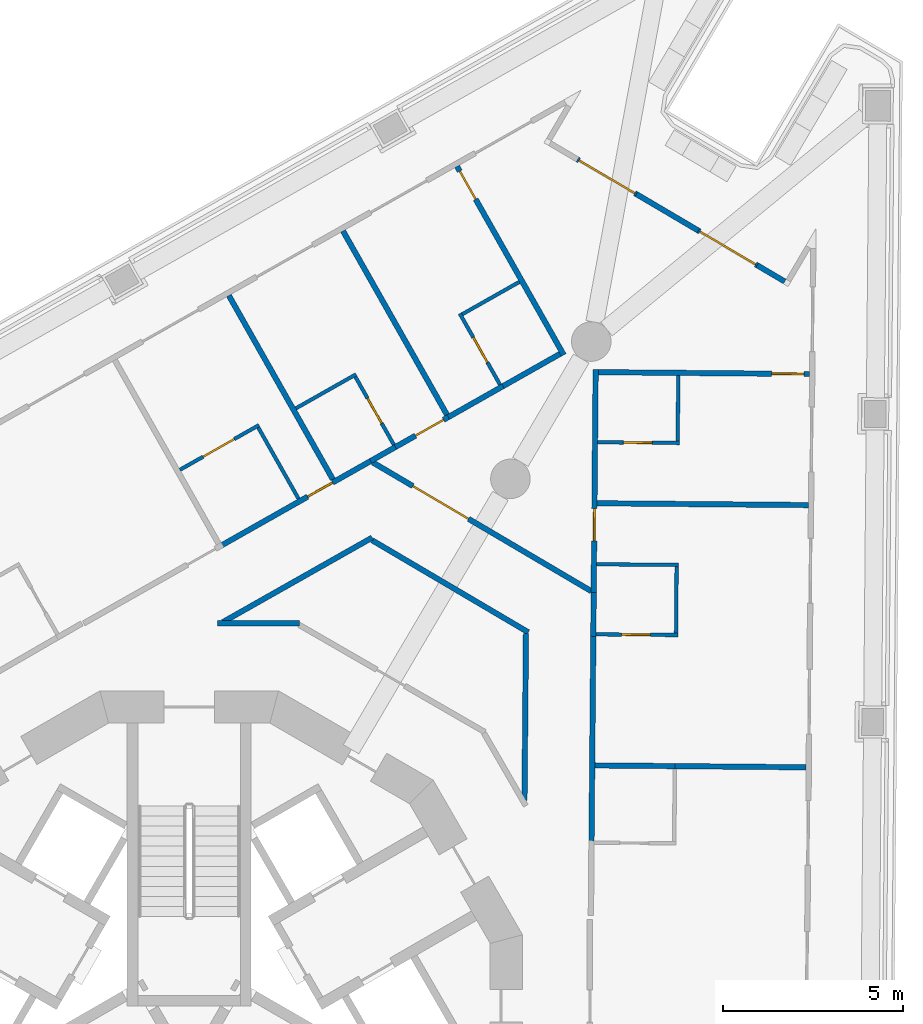
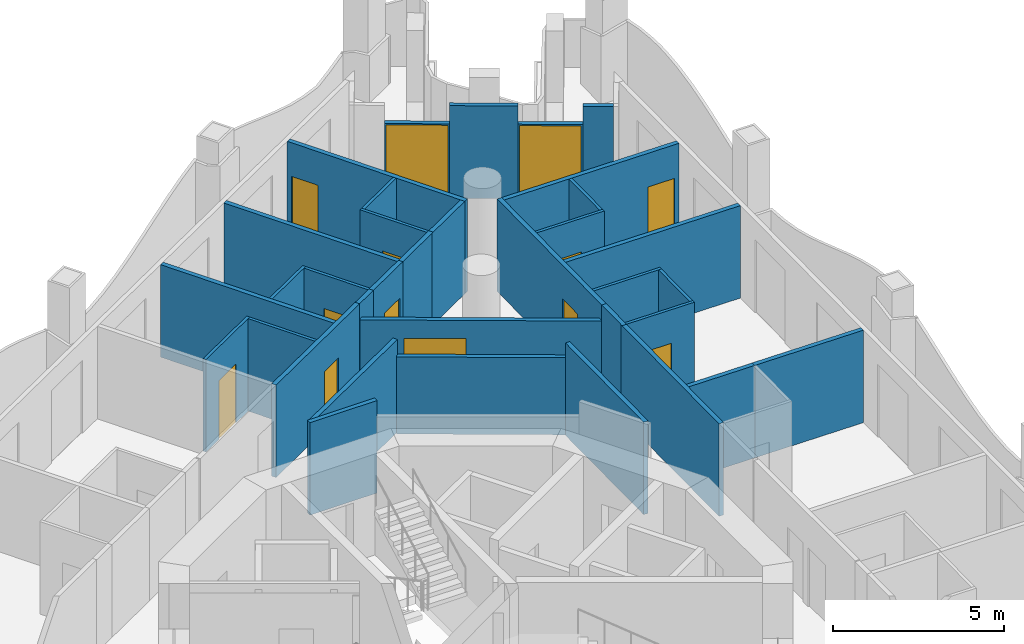
# One storey, part 9 of 17: 35 walls, 13 doors, 13 openings.
"""IFC4 building model written with IfcOpenShell, lengths in metres."""

from ifc_helpers import new_model, si_unit, direction, frame, frame_2d, origin, place, context, subcontext, project, spatial, polyline, rectangle, outline, extrude, material, layer, layer_set, type_object, element, fill, save


model = new_model("IFC4")

# Units and contexts
model_context = context("Model", 3, precision=1e-05, world=origin(), true_north=direction((0.0, 1.0)))
body_context = subcontext(model_context, "Body", "Model", "MODEL_VIEW")
ifc_project = project(units=[si_unit("LENGTHUNIT", "METRE"), si_unit("AREAUNIT", "SQUARE_METRE"), si_unit("VOLUMEUNIT", "CUBIC_METRE"), si_unit("PLANEANGLEUNIT", "RADIAN"), si_unit("MASSUNIT", "GRAM", prefix="KILO")], contexts=[model_context])

# Site, building, storey
site_placement = place(None, origin())
site = spatial("IfcSite", under=ifc_project, at=site_placement, CompositionType="ELEMENT")
building_placement = place(site_placement, origin())
building = spatial("IfcBuilding", under=site, at=building_placement, Name="Trine Commons Tower", CompositionType="ELEMENT")
storey_placement = place(building_placement, frame((0.0, 0.0, 164.699951171875)))
storey = spatial("IfcBuildingStorey", under=building, at=storey_placement, Name="L42", CompositionType="ELEMENT", Elevation=164.699951171875)

# Wall, opening, door
ifc_material_1 = material(Name="Aluminium-framed insulated wall panel", Category="aluminium")
ifc_layer_1 = layer(ifc_material_1, 0.14990234375)
ifc_layer_set_1 = layer_set([ifc_layer_1], Name="Aluminium-framed insulated wall panel")
wall_type_1 = type_object("IfcWallType", Name="Glazed frame wall 150, EI 60", PredefinedType="SOLIDWALL", material=ifc_layer_set_1)
wall_1_placement = place(storey_placement, frame((90.803955078125, 86.55517578125, 0.0), z_axis=(0.0, 0.0, 1.0), x_axis=(0.861603693734, -0.50758159437, 0.0)))
wall_1 = element("IfcWall", 1, at=wall_1_placement, inside=storey, type_object=wall_type_1, Name="Glazed frame wall P2.2", PredefinedType="SOLIDWALL", context=body_context, shape_type="SweptSolid", body=[
    extrude(outline(polyline([(0.0, -0.074951171875), (1.89990234375, -0.074951171875), (1.89990234375, 0.074951171875), (0.0, 0.074951171875), (0.0, -0.074951171875)])), origin(), (0.0, 0.0, 1.0), 2.650146484375),
])
opening_1_placement = place(wall_1_placement, frame((0.050048828125, 0.0, 0.0)))
opening_1 = element("IfcOpeningElement", 2, at=opening_1_placement, cuts=wall_1, Name="Opening BD-5P2-01", PredefinedType="OPENING", context=body_context, shape_type="SweptSolid", body=[
    extrude(rectangle(XDim=1.800048828125, YDim=2.60009765625, at=frame_2d((0.89990234375, 1.300048828125))), frame((0.0, 0.0849609375, 0.0), z_axis=(0.0, -1.0, 0.0), x_axis=(1.0, 0.0, 0.0)), (0.0, 0.0, 1.0), 0.169921875),
])
ifc_material_2 = material(Name="Anodised aluminium frame with double glazing", Category="aluminium")
door_type_1 = type_object("IfcDoorType", Name="Sliding loggia door 1800x2600", OperationType="SLIDING_TO_LEFT", PredefinedType="DOOR", material=ifc_material_2)
door_1_placement = place(opening_1_placement, origin())
door_1 = element("IfcDoor", 3, at=door_1_placement, inside=storey, type_object=door_type_1, Name="Loggia door P2 1", OperationType="SLIDING_TO_LEFT", OverallHeight=2.60009765625, OverallWidth=1.800048828125, PredefinedType="DOOR", context=body_context, shape_type="SweptSolid", body=[
    extrude(rectangle(XDim=1.800048828125, YDim=2.60009765625, at=frame_2d((0.89990234375, 1.300048828125))), frame((0.0, 0.02490234375, 0.0), z_axis=(0.0, -1.0, 0.0), x_axis=(1.0, 0.0, 0.0)), (0.0, 0.0, 1.0), 0.050048828125),
])
fill(opening_1, door_1)

# Wall
wall_2_placement = place(storey_placement, frame((92.44091796875, 85.5908203125, 0.0), z_axis=(0.0, 0.0, 1.0), x_axis=(0.861632831324, -0.507532130988, 0.0)))
element("IfcWall", 4, at=wall_2_placement, inside=storey, type_object=wall_type_1, Name="Glazed frame wall P2.3", PredefinedType="SOLIDWALL", context=body_context, shape_type="SweptSolid", body=[
    extrude(outline(polyline([(0.0, -0.074951171875), (2.0, -0.074951171875), (2.0, 0.074951171875), (0.0, 0.074951171875), (0.0, -0.074951171875)])), origin(), (0.0, 0.0, 1.0), 3.300048828125),
])

# Wall, opening, door
wall_3_placement = place(storey_placement, frame((94.164306640625, 84.57568359375, 0.0), z_axis=(0.0, 0.0, 1.0), x_axis=(0.86165989029, -0.507486190418, 0.0)))
wall_3 = element("IfcWall", 5, at=wall_3_placement, inside=storey, type_object=wall_type_1, Name="Glazed frame wall P2.4", PredefinedType="SOLIDWALL", context=body_context, shape_type="SweptSolid", body=[
    extrude(outline(polyline([(0.0, -0.074951171875), (1.89990234375, -0.074951171875), (1.89990234375, 0.074951171875), (0.0, 0.074951171875), (0.0, -0.074951171875)])), origin(), (0.0, 0.0, 1.0), 2.650146484375),
])
opening_2_placement = place(wall_3_placement, frame((0.050048828125, 0.0, 0.0)))
opening_2 = element("IfcOpeningElement", 6, at=opening_2_placement, cuts=wall_3, Name="Opening BD-5P2-02", PredefinedType="OPENING", context=body_context, shape_type="SweptSolid", body=[
    extrude(rectangle(XDim=1.800048828125, YDim=2.60009765625, at=frame_2d((0.89990234375, 1.300048828125))), frame((0.0, 0.0849609375, 0.0), z_axis=(0.0, -1.0, 0.0), x_axis=(1.0, 0.0, 0.0)), (0.0, 0.0, 1.0), 0.169921875),
])
door_2_placement = place(opening_2_placement, origin())
door_2 = element("IfcDoor", 7, at=door_2_placement, inside=storey, type_object=door_type_1, Name="Loggia door P2 2", OperationType="SLIDING_TO_LEFT", OverallHeight=2.60009765625, OverallWidth=1.800048828125, PredefinedType="DOOR", context=body_context, shape_type="SweptSolid", body=[
    extrude(rectangle(XDim=1.800048828125, YDim=2.60009765625, at=frame_2d((0.89990234375, 1.300048828125))), frame((0.0, 0.02490234375, 0.0), z_axis=(0.0, -1.0, 0.0), x_axis=(1.0, 0.0, 0.0)), (0.0, 0.0, 1.0), 0.050048828125),
])
fill(opening_2, door_2)

# Wall
wall_4_placement = place(storey_placement, frame((95.80126953125, 83.611572265625, 0.0), z_axis=(0.0, 0.0, 1.0), x_axis=(0.861664268073, -0.507478757315, 0.0)))
element("IfcWall", 8, at=wall_4_placement, inside=storey, type_object=wall_type_1, Name="Glazed frame wall P2.5", PredefinedType="SOLIDWALL", context=body_context, shape_type="SweptSolid", body=[
    extrude(outline(polyline([(0.889892578125, 0.074951171875), (0.0, 0.074951171875), (0.0, -0.074951171875), (0.889892578125, -0.074951171875), (0.889892578125, 0.074951171875)])), origin(), (0.0, 0.0, 1.0), 3.300048828125),
])

# Wall, opening, door
ifc_material_3 = material(Name="Gypsum plasterboard on steel stud", Category="steel")
ifc_layer_2 = layer(ifc_material_3, 0.14990234375)
ifc_layer_set_2 = layer_set([ifc_layer_2], Name="Gypsum plasterboard on steel stud")
wall_type_2 = type_object("IfcWallType", Name="Unit and corridor wall 150 mm, EI 60", PredefinedType="PARTITIONING", material=ifc_layer_set_2)
wall_5_placement = place(storey_placement, frame((80.85595703125, 75.79296875, 0.0), z_axis=(0.0, 0.0, 1.0), x_axis=(0.870296246949, 0.492528621043, 0.0)))
wall_5 = element("IfcWall", 9, at=wall_5_placement, inside=storey, type_object=wall_type_2, Name="Partition 067", PredefinedType="PARTITIONING", context=body_context, shape_type="SweptSolid", body=[
    extrude(rectangle(XDim=4.812255859375, YDim=0.14990234375, at=frame_2d((2.40625, 0.0))), origin(), (0.0, 0.0, 1.0), 3.300048828125),
])
opening_3_placement = place(wall_5_placement, frame((2.800537109375, 0.0, 0.0)))
opening_3 = element("IfcOpeningElement", 10, at=opening_3_placement, cuts=wall_5, Name="Opening D-5A10", PredefinedType="OPENING", context=body_context, shape_type="SweptSolid", body=[
    extrude(rectangle(XDim=0.800048828125, YDim=2.10009765625, at=frame_2d((0.39990234375, 1.050048828125))), frame((0.0, 0.0849609375, 0.0), z_axis=(0.0, -1.0, 0.0), x_axis=(1.0, 0.0, 0.0)), (0.0, 0.0, 1.0), 0.169921875),
])
ifc_material_4 = material(Name="Timber fire door set", Category="wood")
door_type_2 = type_object("IfcDoorType", Name="Bedroom door 800 x 2100, FD30S", OperationType="NOTDEFINED", PredefinedType="DOOR", material=ifc_material_4)
door_3_placement = place(opening_3_placement, origin())
door_3 = element("IfcDoor", 11, at=door_3_placement, inside=storey, type_object=door_type_2, Name="Door D-5A10", OperationType="SINGLE_SWING_RIGHT", OverallHeight=2.10009765625, OverallWidth=0.800048828125, PredefinedType="DOOR", context=body_context, shape_type="SweptSolid", body=[
    extrude(rectangle(XDim=0.800048828125, YDim=2.10009765625, at=frame_2d((0.39990234375, 1.050048828125))), frame((0.0, 0.02490234375, 0.0), z_axis=(0.0, -1.0, 0.0), x_axis=(1.0, 0.0, 0.0)), (0.0, 0.0, 1.0), 0.050048828125),
])
fill(opening_3, door_3)

# Walls
wall_6_placement = place(storey_placement, frame((80.79296875, 73.64794921875, 0.0), z_axis=(0.0, 0.0, 1.0), x_axis=(1.0, 0.0, 0.0)))
element("IfcWall", 12, at=wall_6_placement, inside=storey, type_object=wall_type_2, Name="Partition 068", PredefinedType="PARTITIONING", context=body_context, shape_type="SweptSolid", body=[
    extrude(rectangle(XDim=2.26904296875, YDim=0.14990234375, at=frame_2d((1.134521484375, 0.0))), origin(), (0.0, 0.0, 1.0), 3.300048828125),
])
wall_7_placement = place(storey_placement, frame((80.937255859375, 73.684814453125, 0.0), z_axis=(0.0, 0.0, 1.0), x_axis=(0.870319748897, 0.492487090876, 0.0)))
element("IfcWall", 13, at=wall_7_placement, inside=storey, type_object=wall_type_2, Name="Partition 069", PredefinedType="PARTITIONING", context=body_context, shape_type="SweptSolid", body=[
    extrude(rectangle(XDim=4.77197265625, YDim=0.14990234375, at=frame_2d((2.385986328125, 0.0))), origin(), (0.0, 0.0, 1.0), 3.300048828125),
])
wall_8_placement = place(storey_placement, frame((81.103759765625, 82.769287109375, 0.0), z_axis=(0.0, 0.0, 1.0), x_axis=(0.492361245758, -0.870390948756, 0.0)))
element("IfcWall", 14, at=wall_8_placement, inside=storey, type_object=wall_type_2, Name="Partition 072", PredefinedType="PARTITIONING", context=body_context, shape_type="SweptSolid", body=[
    extrude(rectangle(XDim=5.87451171875, YDim=0.14990234375, at=frame_2d((2.937255859375, 0.0))), origin(), (0.0, 0.0, 1.0), 3.300048828125),
])
wall_9_placement = place(storey_placement, frame((84.27880859375, 84.565185546875, 0.0), z_axis=(0.0, 0.0, 1.0), x_axis=(0.4923790567, -0.870380873252, 0.0)))
element("IfcWall", 15, at=wall_9_placement, inside=storey, type_object=wall_type_2, Name="Partition 082", PredefinedType="PARTITIONING", context=body_context, shape_type="SweptSolid", body=[
    extrude(rectangle(XDim=5.874267578125, YDim=0.14990234375, at=frame_2d((2.93701171875, 0.0))), origin(), (0.0, 0.0, 1.0), 3.300048828125),
])
wall_10_placement = place(storey_placement, frame((85.089599609375, 75.9599609375, 0.0), z_axis=(0.0, 0.0, 1.0), x_axis=(0.861605399292, -0.507578699229, 0.0)))
element("IfcWall", 16, at=wall_10_placement, inside=storey, type_object=wall_type_2, Name="Partition 087", PredefinedType="PARTITIONING", context=body_context, shape_type="SweptSolid", body=[
    extrude(rectangle(XDim=5.041748046875, YDim=0.14990234375, at=frame_2d((2.52099609375, 0.0))), origin(), (0.0, 0.0, 1.0), 2.75),
])
wall_11_placement = place(storey_placement, frame((85.0439453125, 78.1630859375, 0.0), z_axis=(0.0, 0.0, 1.0), x_axis=(0.870602999544, 0.491986196133, 0.0)))
element("IfcWall", 17, at=wall_11_placement, inside=storey, type_object=wall_type_2, Name="Partition 088", PredefinedType="PARTITIONING", context=body_context, shape_type="SweptSolid", body=[
    extrude(rectangle(XDim=0.79248046875, YDim=0.14990234375, at=frame_2d((0.396240234375, 0.0))), origin(), (0.0, 0.0, 1.0), 3.300048828125),
])

# Wall, opening, door
wall_12_placement = place(storey_placement, frame((85.108642578125, 78.125, 0.0), z_axis=(0.0, 0.0, 1.0), x_axis=(0.861598717736, -0.507590040875, 0.0)))
wall_12 = element("IfcWall", 18, at=wall_12_placement, inside=storey, type_object=wall_type_2, Name="Partition 089", PredefinedType="PARTITIONING", context=body_context, shape_type="SweptSolid", body=[
    extrude(rectangle(XDim=7.056396484375, YDim=0.14990234375, at=frame_2d((3.5283203125, 0.0))), origin(), (0.0, 0.0, 1.0), 2.75),
])
opening_4_placement = place(wall_12_placement, frame((1.29296875, 0.0, 0.0)))
opening_4 = element("IfcOpeningElement", 19, at=opening_4_placement, cuts=wall_12, Name="Opening D-5A01", PredefinedType="OPENING", context=body_context, shape_type="SweptSolid", body=[
    extrude(rectangle(XDim=1.800048828125, YDim=2.10009765625, at=frame_2d((0.89990234375, 1.050048828125))), frame((0.0, 0.0849609375, 0.0), z_axis=(0.0, -1.0, 0.0), x_axis=(1.0, 0.0, 0.0)), (0.0, 0.0, 1.0), 0.169921875),
])
door_type_3 = type_object("IfcDoorType", Name="Cluster entrance door 1800 x 2100, double leaf, FD30S", OperationType="DOUBLE_DOOR_DOUBLE_SWING", PredefinedType="DOOR", material=ifc_material_4)
door_4_placement = place(opening_4_placement, origin())
door_4 = element("IfcDoor", 20, at=door_4_placement, inside=storey, type_object=door_type_3, Name="Door D-5A01", OperationType="DOUBLE_DOOR_DOUBLE_SWING", OverallHeight=2.10009765625, OverallWidth=1.800048828125, PredefinedType="DOOR", context=body_context, shape_type="SweptSolid", body=[
    extrude(rectangle(XDim=1.800048828125, YDim=2.10009765625, at=frame_2d((0.89990234375, 1.050048828125))), frame((0.0, 0.02490234375, 0.0), z_axis=(0.0, -1.0, 0.0), x_axis=(1.0, 0.0, 0.0)), (0.0, 0.0, 1.0), 0.050048828125),
])
fill(opening_4, door_4)

wall_13_placement = place(storey_placement, frame((85.72802734375, 78.550048828125, 0.0), z_axis=(0.0, 0.0, 1.0), x_axis=(0.870461194111, 0.492237046093, 0.0)))
wall_13 = element("IfcWall", 21, at=wall_13_placement, inside=storey, type_object=wall_type_2, Name="Partition 090", PredefinedType="PARTITIONING", context=body_context, shape_type="SweptSolid", body=[
    extrude(rectangle(XDim=1.7001953125, YDim=0.14990234375, at=frame_2d((0.85009765625, 0.0))), origin(), (0.0, 0.0, 1.0), 3.300048828125),
])
opening_5_placement = place(wall_13_placement, frame((0.650146484375, 0.0, 0.0)))
opening_5 = element("IfcOpeningElement", 22, at=opening_5_placement, cuts=wall_13, Name="Opening D-5A11", PredefinedType="OPENING", context=body_context, shape_type="SweptSolid", body=[
    extrude(rectangle(XDim=0.89990234375, YDim=2.10009765625, at=frame_2d((0.449951171875, 1.050048828125))), frame((0.0, 0.0849609375, 0.0), z_axis=(0.0, -1.0, 0.0), x_axis=(1.0, 0.0, 0.0)), (0.0, 0.0, 1.0), 0.169921875),
])
door_type_4 = type_object("IfcDoorType", Name="Bedroom door 900 x 2100, FD30S", OperationType="NOTDEFINED", PredefinedType="DOOR", material=ifc_material_4)
door_5_placement = place(opening_5_placement, origin())
door_5 = element("IfcDoor", 23, at=door_5_placement, inside=storey, type_object=door_type_4, Name="Door D-5A11", OperationType="SINGLE_SWING_RIGHT", OverallHeight=2.10009765625, OverallWidth=0.89990234375, PredefinedType="DOOR", context=body_context, shape_type="SweptSolid", body=[
    extrude(rectangle(XDim=0.89990234375, YDim=2.10009765625, at=frame_2d((0.449951171875, 1.050048828125))), frame((0.0, 0.02490234375, 0.0), z_axis=(0.0, -1.0, 0.0), x_axis=(1.0, 0.0, 0.0)), (0.0, 0.0, 1.0), 0.050048828125),
])
fill(opening_5, door_5)

# Wall
wall_14_placement = place(storey_placement, frame((87.2080078125, 79.386962890625, 0.0), z_axis=(0.0, 0.0, 1.0), x_axis=(0.87020157879, 0.492695861837, 0.0)))
element("IfcWall", 24, at=wall_14_placement, inside=storey, type_object=wall_type_2, Name="Partition 095", PredefinedType="PARTITIONING", context=body_context, shape_type="SweptSolid", body=[
    extrude(rectangle(XDim=1.750732421875, YDim=0.14990234375, at=frame_2d((0.87548828125, 0.0))), origin(), (0.0, 0.0, 1.0), 3.300048828125),
])

# Wall, opening, door
wall_15_placement = place(storey_placement, frame((87.45263671875, 86.361083984375, 0.0), z_axis=(0.0, 0.0, 1.0), x_axis=(0.492389730591, -0.870374834889, 0.0)))
wall_15 = element("IfcWall", 25, at=wall_15_placement, inside=storey, type_object=wall_type_2, Name="Partition 096", PredefinedType="PARTITIONING", context=body_context, shape_type="SweptSolid", body=[
    extrude(rectangle(XDim=6.0244140625, YDim=0.14990234375, at=frame_2d((3.01220703125, 0.0))), origin(), (0.0, 0.0, 1.0), 3.300048828125),
])
opening_6_placement = place(wall_15_placement, frame((0.14990234375, 0.0, 0.0)))
opening_6 = element("IfcOpeningElement", 26, at=opening_6_placement, cuts=wall_15, Name="Opening D-5A12", PredefinedType="OPENING", context=body_context, shape_type="SweptSolid", body=[
    extrude(rectangle(XDim=0.89990234375, YDim=2.10009765625, at=frame_2d((0.449951171875, 1.050048828125))), frame((0.0, 0.0849609375, 0.0), z_axis=(0.0, -1.0, 0.0), x_axis=(1.0, 0.0, 0.0)), (0.0, 0.0, 1.0), 0.169921875),
])
door_6_placement = place(opening_6_placement, frame((0.89990234375, 0.0, 0.0), z_axis=(0.0, 0.0, 1.0), x_axis=(-1.0, 0.0, 0.0)))
door_6 = element("IfcDoor", 27, at=door_6_placement, inside=storey, type_object=door_type_4, Name="Door D-5A12", OperationType="SINGLE_SWING_RIGHT", OverallHeight=2.10009765625, OverallWidth=0.89990234375, PredefinedType="DOOR", context=body_context, shape_type="SweptSolid", body=[
    extrude(rectangle(XDim=0.89990234375, YDim=2.10009765625, at=frame_2d((0.449951171875, 1.050048828125))), frame((0.0, 0.02490234375, 0.0), z_axis=(0.0, -1.0, 0.0), x_axis=(1.0, 0.0, 0.0)), (0.0, 0.0, 1.0), 0.050048828125),
])
fill(opening_6, door_6)

# Walls
wall_16_placement = place(storey_placement, frame((88.681884765625, 80.220947265625, 0.0), z_axis=(0.0, 0.0, 1.0), x_axis=(0.870323079534, 0.492481204951, 0.0)))
element("IfcWall", 28, at=wall_16_placement, inside=storey, type_object=wall_type_2, Name="Partition 103", PredefinedType="PARTITIONING", context=body_context, shape_type="SweptSolid", body=[
    extrude(rectangle(XDim=1.87841796875, YDim=0.14990234375, at=frame_2d((0.939208984375, 0.0))), origin(), (0.0, 0.0, 1.0), 3.300048828125),
])
wall_17_placement = place(storey_placement, frame((89.32763671875, 68.716064453125, 0.0), z_axis=(0.0, 0.0, 1.0), x_axis=(0.008771592358, 0.999961528844, 0.0)))
element("IfcWall", 29, at=wall_17_placement, inside=storey, type_object=wall_type_2, Name="Partition 107", PredefinedType="PARTITIONING", context=body_context, shape_type="SweptSolid", body=[
    extrude(rectangle(XDim=4.648193359375, YDim=0.14990234375, at=frame_2d((2.32421875, 0.0))), origin(), (0.0, 0.0, 1.0), 3.300048828125),
])
wall_18_placement = place(storey_placement, frame((91.19189453125, 67.54296875, 0.0), z_axis=(0.0, 0.0, 1.0), x_axis=(0.008789667593, 0.999961370126, 0.0)))
element("IfcWall", 30, at=wall_18_placement, inside=storey, type_object=wall_type_2, Name="Partition 123", PredefinedType="PARTITIONING", context=body_context, shape_type="SweptSolid", body=[
    extrude(rectangle(XDim=5.80517578125, YDim=0.14990234375, at=frame_2d((2.902587890625, 0.0))), origin(), (0.0, 0.0, 1.0), 3.300048828125),
])
wall_19_placement = place(storey_placement, frame((91.285888671875, 69.6962890625, 0.0), z_axis=(0.0, 0.0, 1.0), x_axis=(0.999962566689, -0.008652469087, 0.0)))
element("IfcWall", 31, at=wall_19_placement, inside=storey, type_object=wall_type_2, Name="Partition 125", PredefinedType="PARTITIONING", context=body_context, shape_type="SweptSolid", body=[
    extrude(rectangle(XDim=2.22900390625, YDim=0.14990234375, at=frame_2d((1.114501953125, 0.0))), origin(), (0.0, 0.0, 1.0), 3.300048828125),
])
wall_20_placement = place(storey_placement, frame((91.24267578125, 73.2900390625, 0.0), z_axis=(0.0, 0.0, 1.0), x_axis=(0.008440213825, 0.999964380761, 0.0)))
element("IfcWall", 32, at=wall_20_placement, inside=storey, type_object=wall_type_2, Name="Partition 126", PredefinedType="PARTITIONING", context=body_context, shape_type="SweptSolid", body=[
    extrude(rectangle(XDim=1.21484375, YDim=0.14990234375, at=frame_2d((0.607421875, 0.0))), origin(), (0.0, 0.0, 1.0), 3.300048828125),
])

# Wall, opening, door
wall_21_placement = place(storey_placement, frame((91.2529296875, 74.5048828125, 0.0), z_axis=(0.0, 0.0, 1.0), x_axis=(0.008808844939, 0.999961201373, 0.0)))
wall_21 = element("IfcWall", 33, at=wall_21_placement, inside=storey, type_object=wall_type_2, Name="Partition 128", PredefinedType="PARTITIONING", context=body_context, shape_type="SweptSolid", body=[
    extrude(rectangle(XDim=6.208251953125, YDim=0.14990234375, at=frame_2d((3.10400390625, 0.0))), origin(), (0.0, 0.0, 1.0), 3.300048828125),
])
opening_7_placement = place(wall_21_placement, frame((1.43603515625, 0.0, 0.0)))
opening_7 = element("IfcOpeningElement", 34, at=opening_7_placement, cuts=wall_21, Name="Opening D-5A14", PredefinedType="OPENING", context=body_context, shape_type="SweptSolid", body=[
    extrude(rectangle(XDim=0.89990234375, YDim=2.10009765625, at=frame_2d((0.449951171875, 1.050048828125))), frame((0.0, 0.0849609375, 0.0), z_axis=(0.0, -1.0, 0.0), x_axis=(1.0, 0.0, 0.0)), (0.0, 0.0, 1.0), 0.169921875),
])
door_7_placement = place(opening_7_placement, frame((0.89990234375, 0.0, 0.0), z_axis=(0.0, 0.0, 1.0), x_axis=(-1.0, 0.0, 0.0)))
door_7 = element("IfcDoor", 35, at=door_7_placement, inside=storey, type_object=door_type_4, Name="Door D-5A14", OperationType="SINGLE_SWING_RIGHT", OverallHeight=2.10009765625, OverallWidth=0.89990234375, PredefinedType="DOOR", context=body_context, shape_type="SweptSolid", body=[
    extrude(rectangle(XDim=0.89990234375, YDim=2.10009765625, at=frame_2d((0.449951171875, 1.050048828125))), frame((0.0, 0.02490234375, 0.0), z_axis=(0.0, -1.0, 0.0), x_axis=(1.0, 0.0, 0.0)), (0.0, 0.0, 1.0), 0.050048828125),
])
fill(opening_7, door_7)

# Wall
wall_22_placement = place(storey_placement, frame((91.35009765625, 76.990234375, 0.0), z_axis=(0.0, 0.0, 1.0), x_axis=(0.999962273479, -0.008686289076, 0.0)))
element("IfcWall", 36, at=wall_22_placement, inside=storey, type_object=wall_type_2, Name="Partition 130", PredefinedType="PARTITIONING", context=body_context, shape_type="SweptSolid", body=[
    extrude(rectangle(XDim=5.874267578125, YDim=0.14990234375, at=frame_2d((2.93701171875, 0.0))), origin(), (0.0, 0.0, 1.0), 3.300048828125),
])

# Wall, opening, door
wall_23_placement = place(storey_placement, frame((91.382080078125, 80.63720703125, 0.0), z_axis=(0.0, 0.0, 1.0), x_axis=(0.999962273479, -0.008686289076, 0.0)))
wall_23 = element("IfcWall", 37, at=wall_23_placement, inside=storey, type_object=wall_type_2, Name="Partition 132", PredefinedType="PARTITIONING", context=body_context, shape_type="SweptSolid", body=[
    extrude(rectangle(XDim=5.874267578125, YDim=0.14990234375, at=frame_2d((2.93701171875, 0.0))), origin(), (0.0, 0.0, 1.0), 3.300048828125),
])
opening_8_placement = place(wall_23_placement, frame((4.82421875, 0.0, 0.0)))
opening_8 = element("IfcOpeningElement", 38, at=opening_8_placement, cuts=wall_23, Name="Opening D-5A13", PredefinedType="OPENING", context=body_context, shape_type="SweptSolid", body=[
    extrude(rectangle(XDim=0.89990234375, YDim=2.10009765625, at=frame_2d((0.449951171875, 1.050048828125))), frame((0.0, 0.0849609375, 0.0), z_axis=(0.0, -1.0, 0.0), x_axis=(1.0, 0.0, 0.0)), (0.0, 0.0, 1.0), 0.169921875),
])
door_8_placement = place(opening_8_placement, frame((0.89990234375, 0.0, 0.0), z_axis=(0.0, 0.0, 1.0), x_axis=(-1.0, 0.0, 0.0)))
door_8 = element("IfcDoor", 39, at=door_8_placement, inside=storey, type_object=door_type_4, Name="Door D-5A13", OperationType="SINGLE_SWING_LEFT", OverallHeight=2.10009765625, OverallWidth=0.89990234375, PredefinedType="DOOR", context=body_context, shape_type="SweptSolid", body=[
    extrude(rectangle(XDim=0.89990234375, YDim=2.10009765625, at=frame_2d((0.449951171875, 1.050048828125))), frame((0.0, 0.02490234375, 0.0), z_axis=(0.0, -1.0, 0.0), x_axis=(1.0, 0.0, 0.0)), (0.0, 0.0, 1.0), 0.050048828125),
])
fill(opening_8, door_8)

# Wall
wall_24_placement = place(storey_placement, frame((93.4609375, 69.677490234375, 0.0), z_axis=(0.0, 0.0, 1.0), x_axis=(0.999959736668, -0.008973574674, 0.0)))
element("IfcWall", 40, at=wall_24_placement, inside=storey, type_object=wall_type_2, Name="Partition 136", PredefinedType="PARTITIONING", context=body_context, shape_type="SweptSolid", body=[
    extrude(rectangle(XDim=3.7001953125, YDim=0.14990234375, at=frame_2d((1.85009765625, 0.0))), origin(), (0.0, 0.0, 1.0), 3.300048828125),
])

# Wall, opening, door
ifc_layer_3 = layer(ifc_material_3, 0.10009765625)
ifc_layer_set_3 = layer_set([ifc_layer_3], Name="Gypsum plasterboard on steel stud")
wall_type_3 = type_object("IfcWallType", Name="Unit partition 100 mm, no rating", PredefinedType="PARTITIONING", material=ifc_layer_set_3)
wall_25_placement = place(storey_placement, frame((79.7421875, 77.9208984375, 0.0), z_axis=(0.0, 0.0, 1.0), x_axis=(0.870364731179, 0.49240759003, 0.0)))
wall_25 = element("IfcWall", 41, at=wall_25_placement, inside=storey, type_object=wall_type_3, Name="Partition 063", PredefinedType="PARTITIONING", context=body_context, shape_type="SweptSolid", body=[
    extrude(rectangle(XDim=2.525634765625, YDim=0.10009765625, at=frame_2d((1.2626953125, 0.0))), origin(), (0.0, 0.0, 1.0), 3.300048828125),
])
opening_9_placement = place(wall_25_placement, frame((0.73779296875, 0.0, 0.0)))
opening_9 = element("IfcOpeningElement", 42, at=opening_9_placement, cuts=wall_25, Name="Opening D-5A35", PredefinedType="OPENING", context=body_context, shape_type="SweptSolid", body=[
    extrude(rectangle(XDim=1.0, YDim=2.10009765625, at=frame_2d((0.5, 1.050048828125))), frame((0.0, 0.06005859375, 0.0), z_axis=(0.0, -1.0, 0.0), x_axis=(1.0, 0.0, 0.0)), (0.0, 0.0, 1.0), 0.1201171875),
])
ifc_material_5 = material(Name="Painted timber", Category="wood")
door_type_5 = type_object("IfcDoorType", Name="Internal door 1000 x 2100, NOT RATED", OperationType="NOTDEFINED", PredefinedType="DOOR", material=ifc_material_5)
door_9_placement = place(opening_9_placement, origin())
door_9 = element("IfcDoor", 43, at=door_9_placement, inside=storey, type_object=door_type_5, Name="Door D-5A35", OperationType="SINGLE_SWING_LEFT", OverallHeight=2.10009765625, OverallWidth=1.0, PredefinedType="DOOR", context=body_context, shape_type="SweptSolid", body=[
    extrude(rectangle(XDim=1.0, YDim=2.10009765625, at=frame_2d((0.5, 1.050048828125))), frame((0.0, 0.02490234375, 0.0), z_axis=(0.0, -1.0, 0.0), x_axis=(1.0, 0.0, 0.0)), (0.0, 0.0, 1.0), 0.050048828125),
])
fill(opening_9, door_9)

# Walls
wall_26_placement = place(storey_placement, frame((81.921630859375, 79.096435546875, 0.0), z_axis=(0.0, 0.0, 1.0), x_axis=(0.492424941649, -0.870354914298, 0.0)))
element("IfcWall", 44, at=wall_26_placement, inside=storey, type_object=wall_type_3, Name="Partition 073", PredefinedType="PARTITIONING", context=body_context, shape_type="SweptSolid", body=[
    extrude(rectangle(XDim=2.275146484375, YDim=0.10009765625, at=frame_2d((1.1376953125, 0.0))), origin(), (0.0, 0.0, 1.0), 3.300048828125),
])
wall_27_placement = place(storey_placement, frame((82.96630859375, 79.6298828125, 0.0), z_axis=(0.0, 0.0, 1.0), x_axis=(0.870373787042, 0.492391582818, 0.0)))
element("IfcWall", 45, at=wall_27_placement, inside=storey, type_object=wall_type_3, Name="Partition 077", PredefinedType="PARTITIONING", context=body_context, shape_type="SweptSolid", body=[
    extrude(rectangle(XDim=1.9248046875, YDim=0.10009765625, at=frame_2d((0.96240234375, 0.0))), origin(), (0.0, 0.0, 1.0), 3.300048828125),
])

# Wall, opening, door
wall_28_placement = place(storey_placement, frame((84.62255859375, 80.509521484375, 0.0), z_axis=(0.0, 0.0, 1.0), x_axis=(0.492545299704, -0.870286807748, 0.0)))
wall_28 = element("IfcWall", 46, at=wall_28_placement, inside=storey, type_object=wall_type_3, Name="Partition 084", PredefinedType="PARTITIONING", context=body_context, shape_type="SweptSolid", body=[
    extrude(rectangle(XDim=2.175537109375, YDim=0.10009765625, at=frame_2d((1.087890625, 0.0))), origin(), (0.0, 0.0, 1.0), 3.300048828125),
])
opening_10_placement = place(wall_28_placement, frame((0.6875, 0.0, 0.0)))
opening_10 = element("IfcOpeningElement", 47, at=opening_10_placement, cuts=wall_28, Name="Opening D-5A36", PredefinedType="OPENING", context=body_context, shape_type="SweptSolid", body=[
    extrude(rectangle(XDim=0.800048828125, YDim=2.10009765625, at=frame_2d((0.39990234375, 1.050048828125))), frame((0.0, 0.06005859375, 0.0), z_axis=(0.0, -1.0, 0.0), x_axis=(1.0, 0.0, 0.0)), (0.0, 0.0, 1.0), 0.1201171875),
])
door_type_6 = type_object("IfcDoorType", Name="Internal door 800 x 2100, NOT RATED", OperationType="NOTDEFINED", PredefinedType="DOOR", material=ifc_material_5)
door_10_placement = place(opening_10_placement, origin())
door_10 = element("IfcDoor", 48, at=door_10_placement, inside=storey, type_object=door_type_6, Name="Door D-5A36", OperationType="SINGLE_SWING_LEFT", OverallHeight=2.10009765625, OverallWidth=0.800048828125, PredefinedType="DOOR", context=body_context, shape_type="SweptSolid", body=[
    extrude(rectangle(XDim=0.800048828125, YDim=2.10009765625, at=frame_2d((0.39990234375, 1.050048828125))), frame((0.0, 0.02490234375, 0.0), z_axis=(0.0, -1.0, 0.0), x_axis=(1.0, 0.0, 0.0)), (0.0, 0.0, 1.0), 0.050048828125),
])
fill(opening_10, door_10)

wall_29_placement = place(storey_placement, frame((87.52734375, 82.267578125, 0.0), z_axis=(0.0, 0.0, 1.0), x_axis=(0.492690247552, -0.870204757495, 0.0)))
wall_29 = element("IfcWall", 49, at=wall_29_placement, inside=storey, type_object=wall_type_3, Name="Partition 097", PredefinedType="PARTITIONING", context=body_context, shape_type="SweptSolid", body=[
    extrude(rectangle(XDim=2.2744140625, YDim=0.10009765625, at=frame_2d((1.13720703125, 0.0))), origin(), (0.0, 0.0, 1.0), 3.300048828125),
])
opening_11_placement = place(wall_29_placement, frame((0.76220703125, 0.0, 0.0)))
opening_11 = element("IfcOpeningElement", 50, at=opening_11_placement, cuts=wall_29, Name="Opening D-5A37", PredefinedType="OPENING", context=body_context, shape_type="SweptSolid", body=[
    extrude(rectangle(XDim=0.800048828125, YDim=2.10009765625, at=frame_2d((0.39990234375, 1.050048828125))), frame((0.0, 0.06005859375, 0.0), z_axis=(0.0, -1.0, 0.0), x_axis=(1.0, 0.0, 0.0)), (0.0, 0.0, 1.0), 0.1201171875),
])
door_11_placement = place(opening_11_placement, frame((0.800048828125, 0.0, 0.0), z_axis=(0.0, 0.0, 1.0), x_axis=(-1.0, 0.0, 0.0)))
door_11 = element("IfcDoor", 51, at=door_11_placement, inside=storey, type_object=door_type_6, Name="Door D-5A37", OperationType="SINGLE_SWING_LEFT", OverallHeight=2.10009765625, OverallWidth=0.800048828125, PredefinedType="DOOR", context=body_context, shape_type="SweptSolid", body=[
    extrude(rectangle(XDim=0.800048828125, YDim=2.10009765625, at=frame_2d((0.39990234375, 1.050048828125))), frame((0.0, 0.02490234375, 0.0), z_axis=(0.0, -1.0, 0.0), x_axis=(1.0, 0.0, 0.0)), (0.0, 0.0, 1.0), 0.050048828125),
])
fill(opening_11, door_11)

# Wall
wall_30_placement = place(storey_placement, frame((87.595458984375, 82.24853515625, 0.0), z_axis=(0.0, 0.0, 1.0), x_axis=(0.870251448743, 0.492607770909, 0.0)))
element("IfcWall", 52, at=wall_30_placement, inside=storey, type_object=wall_type_3, Name="Partition 098", PredefinedType="PARTITIONING", context=body_context, shape_type="SweptSolid", body=[
    extrude(rectangle(XDim=1.826416015625, YDim=0.10009765625, at=frame_2d((0.9130859375, 0.0))), origin(), (0.0, 0.0, 1.0), 3.300048828125),
])

# Wall, opening, door
wall_31_placement = place(storey_placement, frame((91.318115234375, 73.34326171875, 0.0), z_axis=(0.0, 0.0, 1.0), x_axis=(0.999962219299, -0.008692524121, 0.0)))
wall_31 = element("IfcWall", 53, at=wall_31_placement, inside=storey, type_object=wall_type_3, Name="Partition 127", PredefinedType="PARTITIONING", context=body_context, shape_type="SweptSolid", body=[
    extrude(rectangle(XDim=2.27490234375, YDim=0.10009765625, at=frame_2d((1.137451171875, 0.0))), origin(), (0.0, 0.0, 1.0), 3.300048828125),
])
opening_12_placement = place(wall_31_placement, frame((0.71240234375, 0.0, 0.0)))
opening_12 = element("IfcOpeningElement", 54, at=opening_12_placement, cuts=wall_31, Name="Opening D-5A39", PredefinedType="OPENING", context=body_context, shape_type="SweptSolid", body=[
    extrude(rectangle(XDim=0.800048828125, YDim=2.10009765625, at=frame_2d((0.39990234375, 1.050048828125))), frame((0.0, 0.06005859375, 0.0), z_axis=(0.0, -1.0, 0.0), x_axis=(1.0, 0.0, 0.0)), (0.0, 0.0, 1.0), 0.1201171875),
])
door_12_placement = place(opening_12_placement, frame((0.800048828125, 0.0, 0.0), z_axis=(0.0, 0.0, 1.0), x_axis=(-1.0, 0.0, 0.0)))
door_12 = element("IfcDoor", 55, at=door_12_placement, inside=storey, type_object=door_type_6, Name="Door D-5A39", OperationType="SINGLE_SWING_RIGHT", OverallHeight=2.10009765625, OverallWidth=0.800048828125, PredefinedType="DOOR", context=body_context, shape_type="SweptSolid", body=[
    extrude(rectangle(XDim=0.800048828125, YDim=2.10009765625, at=frame_2d((0.39990234375, 1.050048828125))), frame((0.0, 0.02490234375, 0.0), z_axis=(0.0, -1.0, 0.0), x_axis=(1.0, 0.0, 0.0)), (0.0, 0.0, 1.0), 0.050048828125),
])
fill(opening_12, door_12)

# Wall
wall_32_placement = place(storey_placement, frame((91.3349609375, 75.293212890625, 0.0), z_axis=(0.0, 0.0, 1.0), x_axis=(0.999963154254, -0.008584295776, 0.0)))
element("IfcWall", 56, at=wall_32_placement, inside=storey, type_object=wall_type_3, Name="Partition 129", PredefinedType="PARTITIONING", context=body_context, shape_type="SweptSolid", body=[
    extrude(rectangle(XDim=2.275146484375, YDim=0.10009765625, at=frame_2d((1.1376953125, 0.0))), origin(), (0.0, 0.0, 1.0), 3.300048828125),
])

# Wall, opening, door
wall_33_placement = place(storey_placement, frame((91.364990234375, 78.687255859375, 0.0), z_axis=(0.0, 0.0, 1.0), x_axis=(0.999962219299, -0.008692524121, 0.0)))
wall_33 = element("IfcWall", 57, at=wall_33_placement, inside=storey, type_object=wall_type_3, Name="Partition 131", PredefinedType="PARTITIONING", context=body_context, shape_type="SweptSolid", body=[
    extrude(rectangle(XDim=2.27490234375, YDim=0.10009765625, at=frame_2d((1.137451171875, 0.0))), origin(), (0.0, 0.0, 1.0), 3.300048828125),
])
opening_13_placement = place(wall_33_placement, frame((0.71240234375, 0.0, 0.0)))
opening_13 = element("IfcOpeningElement", 58, at=opening_13_placement, cuts=wall_33, Name="Opening D-5A38", PredefinedType="OPENING", context=body_context, shape_type="SweptSolid", body=[
    extrude(rectangle(XDim=0.800048828125, YDim=2.10009765625, at=frame_2d((0.39990234375, 1.050048828125))), frame((0.0, 0.06005859375, 0.0), z_axis=(0.0, -1.0, 0.0), x_axis=(1.0, 0.0, 0.0)), (0.0, 0.0, 1.0), 0.1201171875),
])
door_13_placement = place(opening_13_placement, frame((0.800048828125, 0.0, 0.0), z_axis=(0.0, 0.0, 1.0), x_axis=(-1.0, 0.0, 0.0)))
door_13 = element("IfcDoor", 59, at=door_13_placement, inside=storey, type_object=door_type_6, Name="Door D-5A38", OperationType="SINGLE_SWING_RIGHT", OverallHeight=2.10009765625, OverallWidth=0.800048828125, PredefinedType="DOOR", context=body_context, shape_type="SweptSolid", body=[
    extrude(rectangle(XDim=0.800048828125, YDim=2.10009765625, at=frame_2d((0.39990234375, 1.050048828125))), frame((0.0, 0.02490234375, 0.0), z_axis=(0.0, -1.0, 0.0), x_axis=(1.0, 0.0, 0.0)), (0.0, 0.0, 1.0), 0.050048828125),
])
fill(opening_13, door_13)

# Walls
wall_34_placement = place(storey_placement, frame((93.54345703125, 73.3740234375, 0.0), z_axis=(0.0, 0.0, 1.0), x_axis=(0.008709091707, 0.999962075142, 0.0)))
element("IfcWall", 60, at=wall_34_placement, inside=storey, type_object=wall_type_3, Name="Partition 139", PredefinedType="PARTITIONING", context=body_context, shape_type="SweptSolid", body=[
    extrude(rectangle(XDim=1.85009765625, YDim=0.10009765625, at=frame_2d((0.925048828125, 0.0))), origin(), (0.0, 0.0, 1.0), 3.300048828125),
])
wall_35_placement = place(storey_placement, frame((93.59033203125, 78.718017578125, 0.0), z_axis=(0.0, 0.0, 1.0), x_axis=(0.008695323434, 0.999962194961, 0.0)))
element("IfcWall", 61, at=wall_35_placement, inside=storey, type_object=wall_type_3, Name="Partition 140", PredefinedType="PARTITIONING", context=body_context, shape_type="SweptSolid", body=[
    extrude(rectangle(XDim=1.824951171875, YDim=0.10009765625, at=frame_2d((0.91259765625, 0.0))), origin(), (0.0, 0.0, 1.0), 3.300048828125),
])

save(model, "model.ifc")
